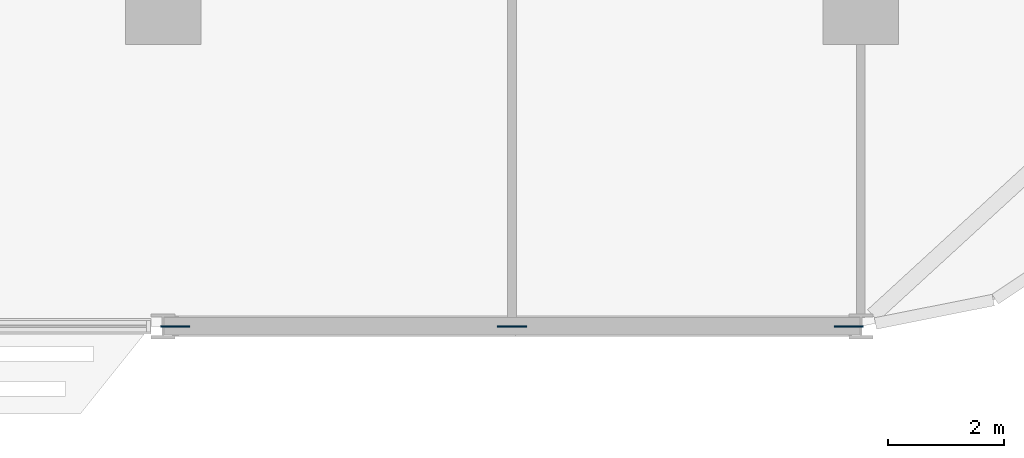
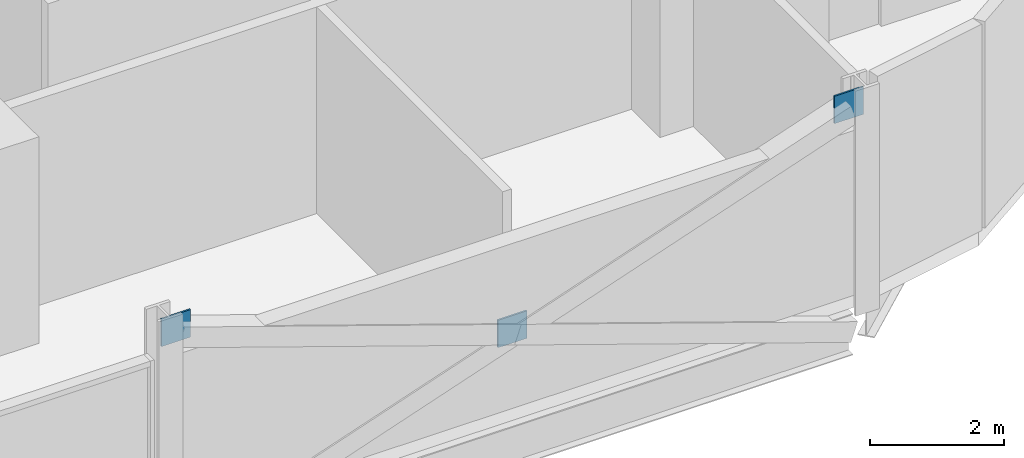
# One storey, part 22 of 28: 3 discrete accessories.
"""IFC4 building model written with IfcOpenShell, lengths in metres."""

from ifc_helpers import new_model, si_unit, direction, frame, origin, origin_2d, place, context, subcontext, project, spatial, rectangle, extrude, material, layer, layer_set, type_object, element, save


model = new_model("IFC4")

# Units and contexts
model_context = context("Model", 3, precision=1e-05, world=origin(), true_north=direction((0.0, 1.0)))
body_context = subcontext(model_context, "Body", "Model", "MODEL_VIEW")
ifc_project = project(units=[si_unit("LENGTHUNIT", "METRE"), si_unit("AREAUNIT", "SQUARE_METRE"), si_unit("VOLUMEUNIT", "CUBIC_METRE"), si_unit("PLANEANGLEUNIT", "RADIAN"), si_unit("MASSUNIT", "GRAM", prefix="KILO")], contexts=[model_context])

# Site, building, storey
site_placement = place(None, origin())
site = spatial("IfcSite", under=ifc_project, at=site_placement, CompositionType="ELEMENT")
building_placement = place(site_placement, origin())
building = spatial("IfcBuilding", under=site, at=building_placement, Name="Mahtab Terrace Research Tower", CompositionType="ELEMENT")
storey_placement = place(building_placement, frame((0.0, 0.0, 130.199951171875)))
storey = spatial("IfcBuildingStorey", under=building, at=storey_placement, Name="L30", CompositionType="ELEMENT", Elevation=130.199951171875)

# Discrete accessories
ifc_material = material(Name="Steel ASTM A992 Gr 50", Category="steel")
ifc_layer = layer(ifc_material, 0.030029296875)
ifc_layer_set = layer_set([ifc_layer], Name="Gusset plate 500x500x30")
discrete_accessory_type = type_object("IfcDiscreteAccessoryType", Name="Gusset plate 500x500x30", PredefinedType="USERDEFINED", material=ifc_layer_set)
for number, where, z_axis, x_axis, name in (
    (1, (30.205810546875, -17.0, 3.131591796875), (0.0, 0.0, 1.0), (1.0, 0.0, 0.0), "Gusset plate"),
    (2, (36.0, -17.0, 1.08154296875), (0.0, 0.0, 1.0), (1.0, 0.0, 0.0), "Gusset plate"),
    (3, (41.794189453125, -17.0, 3.131591796875), (0.0, 0.0, 1.0), (1.0, 0.0, 0.0), "Gusset plate"),
):
    element("IfcDiscreteAccessory", number, at=place(storey_placement, frame(where, z_axis=z_axis, x_axis=x_axis)), inside=storey, type_object=discrete_accessory_type, Name=name, ObjectType="GUSSET PLATE", PredefinedType="USERDEFINED", context=body_context, shape_type="SweptSolid", body=[
        extrude(rectangle(XDim=0.5, YDim=0.030029296875, at=origin_2d()), origin(), (0.0, 0.0, 1.0), 0.5),
    ])

save(model, "model.ifc")
